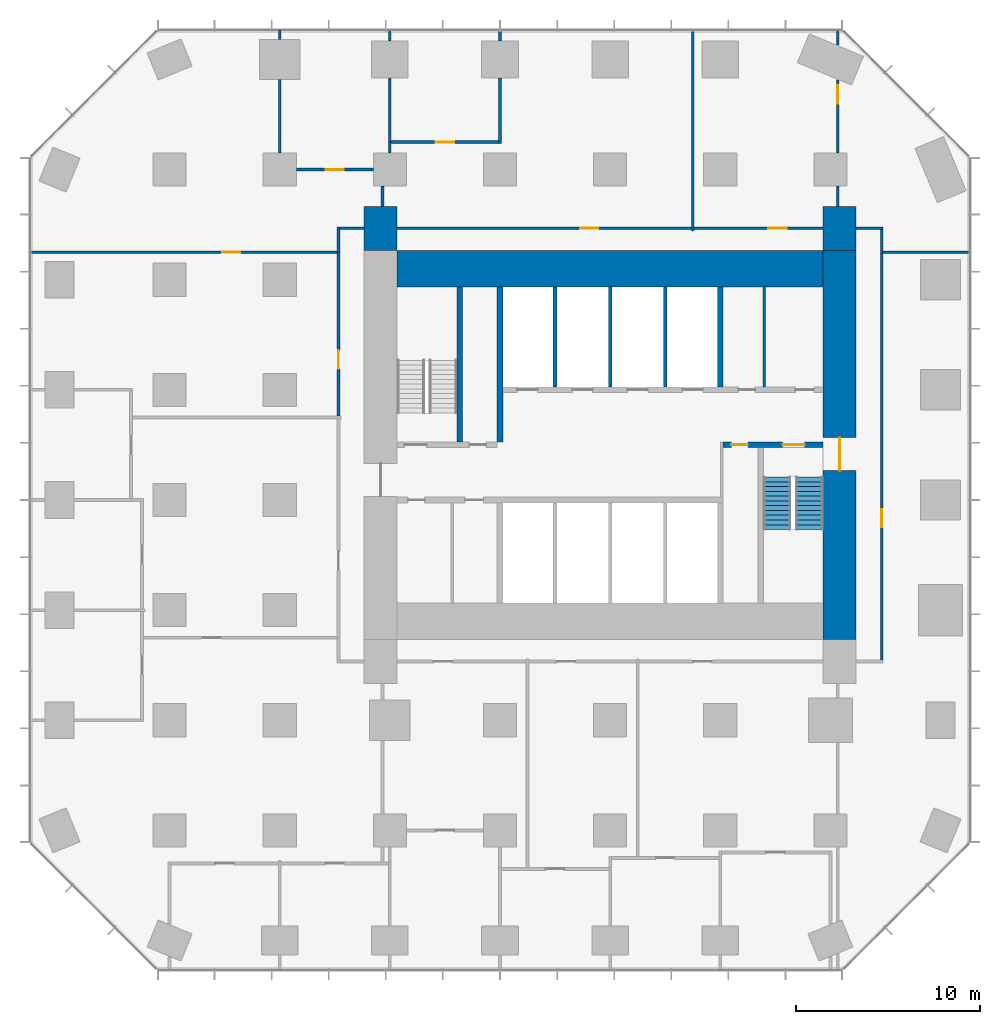
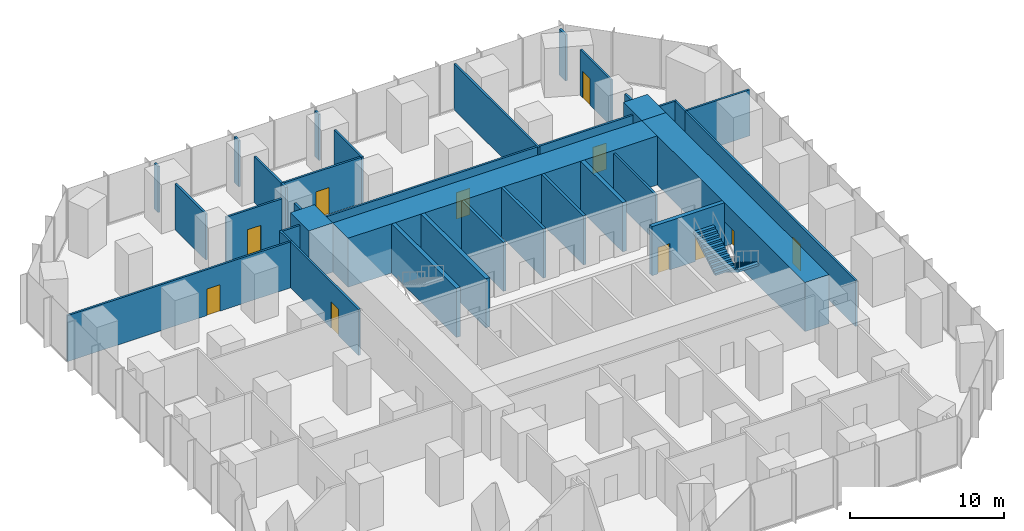
# One storey, part 10 of 12: 36 walls, 11 doors, 2 stair flights, 11 openings, 1 element without a shape of its own.
"""IFC4 building model written with IfcOpenShell, lengths in metres."""

from ifc_helpers import new_model, si_unit, direction, frame, frame_2d, origin, place, context, subcontext, project, spatial, polyline, rectangle, outline, extrude, material, layer, layer_set, type_object, element, fill, aggregate, save


model = new_model("IFC4")

# Units and contexts
model_context = context("Model", 3, precision=1e-05, world=origin(), true_north=direction((0.0, 1.0)))
body_context = subcontext(model_context, "Body", "Model", "MODEL_VIEW")
ifc_project = project(units=[si_unit("LENGTHUNIT", "METRE"), si_unit("AREAUNIT", "SQUARE_METRE"), si_unit("VOLUMEUNIT", "CUBIC_METRE"), si_unit("PLANEANGLEUNIT", "RADIAN"), si_unit("MASSUNIT", "GRAM", prefix="KILO")], contexts=[model_context])

# Site, building, storey
site_placement = place(None, origin())
site = spatial("IfcSite", under=ifc_project, at=site_placement, CompositionType="ELEMENT")
building_placement = place(site_placement, origin())
building = spatial("IfcBuilding", under=site, at=building_placement, Name="Highveld Stack Headquarters", CompositionType="ELEMENT")
storey_placement = place(building_placement, frame((0.0, 0.0, 22.10009765625)))
storey = spatial("IfcBuildingStorey", under=building, at=storey_placement, Name="L04", CompositionType="ELEMENT", Elevation=22.10009765625)

# Wall, opening, door
ifc_material_1 = material(Name="Concrete C60/75", Category="concrete")
ifc_layer_1 = layer(ifc_material_1, 1.800048828125)
ifc_layer_set_1 = layer_set([ifc_layer_1], Name="Concrete C60/75")
wall_type_1 = type_object("IfcWallType", Name="CORE WALL 1800 C60/75", PredefinedType="SHEAR", material=ifc_layer_set_1)
wall_1_placement = place(storey_placement, frame((18.5, -7.60009765625, 0.0), z_axis=(0.0, 0.0, 1.0), x_axis=(0.0, 1.0, 0.0)))
wall_1 = element("IfcWall", 1, at=wall_1_placement, inside=storey, type_object=wall_type_1, Name="Core wall E L04", PredefinedType="SHEAR", context=body_context, shape_type="SweptSolid", body=[
    extrude(rectangle(XDim=21.2001953125, YDim=1.800048828125, at=frame_2d((10.60009765625, 0.0))), origin(), (0.0, 0.0, 1.0), 3.89990234375),
])
opening_1_placement = place(wall_1_placement, frame((9.199951171875, 0.0, 0.0)))
opening_1 = element("IfcOpeningElement", 2, at=opening_1_placement, cuts=wall_1, Name="Opening L04-02", PredefinedType="OPENING", context=body_context, shape_type="SweptSolid", body=[
    extrude(rectangle(XDim=1.800048828125, YDim=2.39990234375, at=frame_2d((0.89990234375, 1.199951171875))), frame((0.0, 0.909912109375, 0.0), z_axis=(0.0, -1.0, 0.0), x_axis=(1.0, 0.0, 0.0)), (0.0, 0.0, 1.0), 1.820068359375),
])
ifc_material_2 = material(Name="Steel fire door", Category="steel")
door_type_1 = type_object("IfcDoorType", Name="LOBBY FIRE DOOR D4 1800x2400", OperationType="DOUBLE_DOOR_SINGLE_SWING", PredefinedType="DOOR", material=ifc_material_2)
door_1_placement = place(opening_1_placement, origin())
door_1 = element("IfcDoor", 3, at=door_1_placement, inside=storey, type_object=door_type_1, Name="Core east door L04", OperationType="DOUBLE_DOOR_SINGLE_SWING", OverallHeight=2.39990234375, OverallWidth=1.800048828125, PredefinedType="DOOR", context=body_context, shape_type="SweptSolid", body=[
    extrude(rectangle(XDim=1.800048828125, YDim=2.39990234375, at=frame_2d((0.89990234375, 1.199951171875))), frame((0.0, 0.02490234375, 0.0), z_axis=(0.0, -1.0, 0.0), x_axis=(1.0, 0.0, 0.0)), (0.0, 0.0, 1.0), 0.050048828125),
])
fill(opening_1, door_1)

# Wall
ifc_material_3 = material(Name="Concrete C60/75", Category="concrete")
ifc_layer_2 = layer(ifc_material_3, 2.0)
ifc_layer_set_2 = layer_set([ifc_layer_2], Name="Concrete C60/75")
wall_type_2 = type_object("IfcWallType", Name="CORE WALL 2000 C60/75", PredefinedType="SHEAR", material=ifc_layer_set_2)
wall_2_placement = place(storey_placement, frame((-5.60009765625, 12.60009765625, 0.0), z_axis=(0.0, 0.0, 1.0), x_axis=(1.0, 0.0, 0.0)))
element("IfcWall", 4, at=wall_2_placement, inside=storey, type_object=wall_type_2, Name="Core wall N L04", PredefinedType="SHEAR", context=body_context, shape_type="SweptSolid", body=[
    extrude(rectangle(XDim=23.2001953125, YDim=2.0, at=frame_2d((11.60009765625, 0.0))), origin(), (0.0, 0.0, 1.0), 3.89990234375),
])

# Wall, openings, doors
ifc_material_4 = material(Name="Concrete C60/75", Category="concrete")
ifc_layer_3 = layer(ifc_material_4, 0.300048828125)
ifc_layer_set_3 = layer_set([ifc_layer_3], Name="Concrete C60/75")
wall_type_3 = type_object("IfcWallType", Name="CORE WALL 300 C60/75", PredefinedType="SHEAR", material=ifc_layer_set_3)
wall_3_placement = place(storey_placement, frame((12.14990234375, 3.0, 0.0), z_axis=(0.0, 0.0, 1.0), x_axis=(1.0, 0.0, 0.0)))
wall_3 = element("IfcWall", 5, at=wall_3_placement, inside=storey, type_object=wall_type_3, Name="Core wall I-Y3E L04", PredefinedType="SHEAR", context=body_context, shape_type="SweptSolid", body=[
    extrude(rectangle(XDim=5.4501953125, YDim=0.300048828125, at=frame_2d((2.72509765625, 0.0))), origin(), (0.0, 0.0, 1.0), 3.89990234375),
])
opening_2_placement = place(wall_3_placement, frame((3.25, 0.0, 0.0)))
opening_2 = element("IfcOpeningElement", 6, at=opening_2_placement, cuts=wall_3, Name="Opening L04-05", PredefinedType="OPENING", context=body_context, shape_type="SweptSolid", body=[
    extrude(rectangle(XDim=1.199951171875, YDim=2.10009765625, at=frame_2d((0.60009765625, 1.050048828125))), frame((0.0, 0.159912109375, 0.0), z_axis=(0.0, -1.0, 0.0), x_axis=(1.0, 0.0, 0.0)), (0.0, 0.0, 1.0), 0.320068359375),
])
opening_3_placement = place(wall_3_placement, frame((0.449951171875, 0.0, 0.0)))
opening_3 = element("IfcOpeningElement", 7, at=opening_3_placement, cuts=wall_3, Name="Opening L04-06", PredefinedType="OPENING", context=body_context, shape_type="SweptSolid", body=[
    extrude(rectangle(XDim=0.89990234375, YDim=2.10009765625, at=frame_2d((0.449951171875, 1.050048828125))), frame((0.0, 0.159912109375, 0.0), z_axis=(0.0, -1.0, 0.0), x_axis=(1.0, 0.0, 0.0)), (0.0, 0.0, 1.0), 0.320068359375),
])
ifc_material_5 = material(Name="Steel fire door", Category="steel")
door_type_2 = type_object("IfcDoorType", Name="RISER ACCESS DOOR D5 900x2100", OperationType="SINGLE_SWING_LEFT", PredefinedType="DOOR", material=ifc_material_5)
door_2_placement = place(opening_3_placement, origin())
door_2 = element("IfcDoor", 8, at=door_2_placement, inside=storey, type_object=door_type_2, Name="Riser R2 door L04", OperationType="SINGLE_SWING_LEFT", OverallHeight=2.10009765625, OverallWidth=0.89990234375, PredefinedType="DOOR", context=body_context, shape_type="SweptSolid", body=[
    extrude(rectangle(XDim=0.89990234375, YDim=2.10009765625, at=frame_2d((0.449951171875, 1.050048828125))), frame((0.0, 0.02490234375, 0.0), z_axis=(0.0, -1.0, 0.0), x_axis=(1.0, 0.0, 0.0)), (0.0, 0.0, 1.0), 0.050048828125),
])
fill(opening_3, door_2)
ifc_material_6 = material(Name="Steel fire door", Category="steel")
door_type_3 = type_object("IfcDoorType", Name="STAIR FIRE DOOR D3 1200x2100", OperationType="SINGLE_SWING_LEFT", PredefinedType="DOOR", material=ifc_material_6)
door_3_placement = place(opening_2_placement, origin())
door_3 = element("IfcDoor", 9, at=door_3_placement, inside=storey, type_object=door_type_3, Name="Stair S2 door L04", OperationType="SINGLE_SWING_RIGHT", OverallHeight=2.10009765625, OverallWidth=1.199951171875, PredefinedType="DOOR", context=body_context, shape_type="SweptSolid", body=[
    extrude(rectangle(XDim=1.199951171875, YDim=2.10009765625, at=frame_2d((0.60009765625, 1.050048828125))), frame((0.0, 0.02490234375, 0.0), z_axis=(0.0, -1.0, 0.0), x_axis=(1.0, 0.0, 0.0)), (0.0, 0.0, 1.0), 0.050048828125),
])
fill(opening_2, door_3)

# Walls
wall_4_placement = place(storey_placement, frame((0.0, 3.14990234375, 0.0), z_axis=(0.0, 0.0, 1.0), x_axis=(0.0, 1.0, 0.0)))
element("IfcWall", 10, at=wall_4_placement, inside=storey, type_object=wall_type_3, Name="Core wall I-X0N L04", PredefinedType="SHEAR", context=body_context, shape_type="SweptSolid", body=[
    extrude(rectangle(XDim=8.4501953125, YDim=0.300048828125, at=frame_2d((4.22509765625, 0.0))), origin(), (0.0, 0.0, 1.0), 3.89990234375),
])
wall_5_placement = place(storey_placement, frame((12.0, 6.14990234375, 0.0), z_axis=(0.0, 0.0, 1.0), x_axis=(0.0, 1.0, 0.0)))
element("IfcWall", 11, at=wall_5_placement, inside=storey, type_object=wall_type_3, Name="Core wall I-X12N L04", PredefinedType="SHEAR", context=body_context, shape_type="SweptSolid", body=[
    extrude(rectangle(XDim=5.4501953125, YDim=0.300048828125, at=frame_2d((2.72509765625, 0.0))), origin(), (0.0, 0.0, 1.0), 3.89990234375),
])
wall_6_placement = place(storey_placement, frame((-2.199951171875, 3.14990234375, 0.0), z_axis=(0.0, 0.0, 1.0), x_axis=(0.0, 1.0, 0.0)))
element("IfcWall", 12, at=wall_6_placement, inside=storey, type_object=wall_type_3, Name="Core wall I-RW L04", PredefinedType="SHEAR", context=body_context, shape_type="SweptSolid", body=[
    extrude(rectangle(XDim=8.4501953125, YDim=0.300048828125, at=frame_2d((4.22509765625, 0.0))), origin(), (0.0, 0.0, 1.0), 3.89990234375),
])
ifc_material_7 = material(Name="Concrete C60/75", Category="concrete")
ifc_layer_4 = layer(ifc_material_7, 1.800048828125)
ifc_layer_set_4 = layer_set([ifc_layer_4], Name="Concrete C60/75")
wall_type_4 = type_object("IfcWallType", Name="CORE WING WALL 1800 C60/75", PredefinedType="SHEAR", material=ifc_layer_set_4)
for number, where, z_axis, x_axis, name in (
    (13, (-6.5, 13.60009765625, 0.0), (0.0, 0.0, 1.0), (0.0, 1.0, 0.0), "Core wing wall WN L04"),
    (14, (18.5, 13.60009765625, 0.0), (0.0, 0.0, 1.0), (0.0, 1.0, 0.0), "Core wing wall EN L04"),
):
    element("IfcWall", number, at=place(storey_placement, frame(where, z_axis=z_axis, x_axis=x_axis)), inside=storey, type_object=wall_type_4, Name=name, PredefinedType="SHEAR", context=body_context, shape_type="SweptSolid", body=[
        extrude(rectangle(XDim=2.39990234375, YDim=1.800048828125, at=frame_2d((1.199951171875, 0.0))), origin(), (0.0, 0.0, 1.0), 3.89990234375),
    ])
ifc_material_8 = material(Name="Concrete blockwork, fair-faced", Category="masonry")
ifc_layer_5 = layer(ifc_material_8, 0.199951171875)
ifc_layer_set_5 = layer_set([ifc_layer_5], Name="Concrete blockwork, fair-faced")
wall_type_5 = type_object("IfcWallType", Name="LIFT SHAFT ENCLOSURE WALL 200 BLOCKWORK", PredefinedType="SOLIDWALL", material=ifc_layer_set_5)
for number, where, z_axis, x_axis, name in (
    (15, (3.0, 6.14990234375, 0.0), (0.0, 0.0, 1.0), (0.0, 1.0, 0.0), "Lift shaft wall L04"),
    (16, (6.0, 6.14990234375, 0.0), (0.0, 0.0, 1.0), (0.0, 1.0, 0.0), "Lift shaft wall L04"),
    (17, (9.0, 6.14990234375, 0.0), (0.0, 0.0, 1.0), (0.0, 1.0, 0.0), "Lift shaft wall L04"),
):
    element("IfcWall", number, at=place(storey_placement, frame(where, z_axis=z_axis, x_axis=x_axis)), inside=storey, type_object=wall_type_5, Name=name, PredefinedType="SOLIDWALL", context=body_context, shape_type="SweptSolid", body=[
        extrude(rectangle(XDim=5.4501953125, YDim=0.199951171875, at=frame_2d((2.72509765625, 0.0))), origin(), (0.0, 0.0, 1.0), 3.89990234375),
    ])

# Wall, opening, door
ifc_material_9 = material(Name="Gypsum plasterboard on steel studs", Category="steel")
ifc_layer_6 = layer(ifc_material_9, 0.14990234375)
ifc_layer_set_6 = layer_set([ifc_layer_6], Name="Gypsum plasterboard on steel studs")
wall_type_6 = type_object("IfcWallType", Name="PARTITION 150 PLASTERBOARD", PredefinedType="PARTITIONING", material=ifc_layer_set_6)
wall_7_placement = place(storey_placement, frame((-11.10009765625, 18.0, 0.0), z_axis=(0.0, 0.0, 1.0), x_axis=(1.0, 0.0, 0.0)))
wall_7 = element("IfcWall", 18, at=wall_7_placement, inside=storey, type_object=wall_type_6, Name="Partition Office L04", PredefinedType="PARTITIONING", context=body_context, shape_type="SweptSolid", body=[
    extrude(rectangle(XDim=4.2001953125, YDim=0.14990234375, at=frame_2d((2.10009765625, 0.0))), origin(), (0.0, 0.0, 1.0), 3.64990234375),
])
opening_4_placement = place(wall_7_placement, frame((1.60009765625, 0.0, 0.0)))
opening_4 = element("IfcOpeningElement", 19, at=opening_4_placement, cuts=wall_7, Name="Opening L04-20", PredefinedType="OPENING", context=body_context, shape_type="SweptSolid", body=[
    extrude(rectangle(XDim=1.0, YDim=2.10009765625, at=frame_2d((0.5, 1.050048828125))), frame((0.0, 0.0849609375, 0.0), z_axis=(0.0, -1.0, 0.0), x_axis=(1.0, 0.0, 0.0)), (0.0, 0.0, 1.0), 0.169921875),
])
ifc_material_10 = material(Name="Timber door, oiled ash", Category="wood")
door_type_4 = type_object("IfcDoorType", Name="ROOM DOOR D6 1000x2100", OperationType="SINGLE_SWING_LEFT", PredefinedType="DOOR", material=ifc_material_10)
door_4_placement = place(opening_4_placement, origin())
door_4 = element("IfcDoor", 20, at=door_4_placement, inside=storey, type_object=door_type_4, Name="Office door 1 L04", OperationType="SINGLE_SWING_RIGHT", OverallHeight=2.10009765625, OverallWidth=1.0, PredefinedType="DOOR", context=body_context, shape_type="SweptSolid", body=[
    extrude(rectangle(XDim=1.0, YDim=2.10009765625, at=frame_2d((0.5, 1.050048828125))), frame((0.0, 0.02490234375, 0.0), z_axis=(0.0, -1.0, 0.0), x_axis=(1.0, 0.0, 0.0)), (0.0, 0.0, 1.0), 0.050048828125),
])
fill(opening_4, door_4)

wall_8_placement = place(storey_placement, frame((-5.925048828125, 19.5, 0.0), z_axis=(0.0, 0.0, 1.0), x_axis=(1.0, 0.0, 0.0)))
wall_8 = element("IfcWall", 21, at=wall_8_placement, inside=storey, type_object=wall_type_6, Name="Partition Quiet room L04", PredefinedType="PARTITIONING", context=body_context, shape_type="SweptSolid", body=[
    extrude(rectangle(XDim=5.85009765625, YDim=0.14990234375, at=frame_2d((2.925048828125, 0.0))), origin(), (0.0, 0.0, 1.0), 3.64990234375),
])
opening_5_placement = place(wall_8_placement, frame((2.425048828125, 0.0, 0.0)))
opening_5 = element("IfcOpeningElement", 22, at=opening_5_placement, cuts=wall_8, Name="Opening L04-21", PredefinedType="OPENING", context=body_context, shape_type="SweptSolid", body=[
    extrude(rectangle(XDim=1.0, YDim=2.10009765625, at=frame_2d((0.5, 1.050048828125))), frame((0.0, 0.0849609375, 0.0), z_axis=(0.0, -1.0, 0.0), x_axis=(1.0, 0.0, 0.0)), (0.0, 0.0, 1.0), 0.169921875),
])
door_5_placement = place(opening_5_placement, origin())
door_5 = element("IfcDoor", 23, at=door_5_placement, inside=storey, type_object=door_type_4, Name="Quiet room door 1 L04", OperationType="SINGLE_SWING_LEFT", OverallHeight=2.10009765625, OverallWidth=1.0, PredefinedType="DOOR", context=body_context, shape_type="SweptSolid", body=[
    extrude(rectangle(XDim=1.0, YDim=2.10009765625, at=frame_2d((0.5, 1.050048828125))), frame((0.0, 0.02490234375, 0.0), z_axis=(0.0, -1.0, 0.0), x_axis=(1.0, 0.0, 0.0)), (0.0, 0.0, 1.0), 0.050048828125),
])
fill(opening_5, door_5)

# Walls
wall_9_placement = place(storey_placement, frame((-12.0, 18.89990234375, 0.0), z_axis=(0.0, 0.0, 1.0), x_axis=(0.0, 1.0, 0.0)))
element("IfcWall", 24, at=wall_9_placement, inside=storey, type_object=wall_type_6, Name="Partition Office L04", PredefinedType="PARTITIONING", context=body_context, shape_type="SweptSolid", body=[
    extrude(rectangle(XDim=4.0, YDim=0.14990234375, at=frame_2d((2.0, 0.0))), origin(), (0.0, 0.0, 1.0), 3.64990234375),
])
wall_10_placement = place(storey_placement, frame((-12.0, 25.10009765625, 0.0), z_axis=(0.0, 0.0, 1.0), x_axis=(0.0, 1.0, 0.0)))
element("IfcWall", 25, at=wall_10_placement, inside=storey, type_object=wall_type_6, Name="Partition Office L04", PredefinedType="PARTITIONING", context=body_context, shape_type="SweptSolid", body=[
    extrude(rectangle(XDim=0.5, YDim=0.14990234375, at=frame_2d((0.25, 0.0))), origin(), (0.0, 0.0, 1.0), 3.64990234375),
])
wall_11_placement = place(storey_placement, frame((-6.0, 18.89990234375, 0.0), z_axis=(0.0, 0.0, 1.0), x_axis=(0.0, 1.0, 0.0)))
element("IfcWall", 26, at=wall_11_placement, inside=storey, type_object=wall_type_6, Name="Partition Office L04", PredefinedType="PARTITIONING", context=body_context, shape_type="SweptSolid", body=[
    extrude(rectangle(XDim=0.60009765625, YDim=0.14990234375, at=frame_2d((0.300048828125, 0.0))), origin(), (0.0, 0.0, 1.0), 3.64990234375),
])
wall_12_placement = place(storey_placement, frame((-6.0, 19.5, 0.0), z_axis=(0.0, 0.0, 1.0), x_axis=(0.0, 1.0, 0.0)))
element("IfcWall", 27, at=wall_12_placement, inside=storey, type_object=wall_type_6, Name="Partition Office / Quiet room L04", PredefinedType="PARTITIONING", context=body_context, shape_type="SweptSolid", body=[
    extrude(rectangle(XDim=3.5, YDim=0.14990234375, at=frame_2d((1.75, 0.0))), origin(), (0.0, 0.0, 1.0), 3.64990234375),
])
wall_13_placement = place(storey_placement, frame((-6.0, 25.0, 0.0), z_axis=(0.0, 0.0, 1.0), x_axis=(0.0, 1.0, 0.0)))
element("IfcWall", 28, at=wall_13_placement, inside=storey, type_object=wall_type_6, Name="Partition Office / Quiet room L04", PredefinedType="PARTITIONING", context=body_context, shape_type="SweptSolid", body=[
    extrude(rectangle(XDim=0.60009765625, YDim=0.14990234375, at=frame_2d((0.300048828125, 0.0))), origin(), (0.0, 0.0, 1.0), 3.64990234375),
])
wall_14_placement = place(storey_placement, frame((0.0, 19.425048828125, 0.0), z_axis=(0.0, 0.0, 1.0), x_axis=(0.0, 1.0, 0.0)))
element("IfcWall", 29, at=wall_14_placement, inside=storey, type_object=wall_type_6, Name="Partition Quiet room L04", PredefinedType="PARTITIONING", context=body_context, shape_type="SweptSolid", body=[
    extrude(rectangle(XDim=3.574951171875, YDim=0.14990234375, at=frame_2d((1.78759765625, 0.0))), origin(), (0.0, 0.0, 1.0), 3.64990234375),
])
wall_15_placement = place(storey_placement, frame((0.0, 25.0, 0.0), z_axis=(0.0, 0.0, 1.0), x_axis=(0.0, 1.0, 0.0)))
element("IfcWall", 30, at=wall_15_placement, inside=storey, type_object=wall_type_6, Name="Partition Quiet room L04", PredefinedType="PARTITIONING", context=body_context, shape_type="SweptSolid", body=[
    extrude(rectangle(XDim=0.550048828125, YDim=0.14990234375, at=frame_2d((0.27490234375, 0.0))), origin(), (0.0, 0.0, 1.0), 3.64990234375),
])

# Wall, opening, door
wall_16_placement = place(storey_placement, frame((-25.60009765625, 13.5, 0.0), z_axis=(0.0, 0.0, 1.0), x_axis=(1.0, 0.0, 0.0)))
wall_16 = element("IfcWall", 31, at=wall_16_placement, inside=storey, type_object=wall_type_6, Name="Partition office neighbourhood L04", PredefinedType="PARTITIONING", context=body_context, shape_type="SweptSolid", body=[
    extrude(rectangle(XDim=16.72509765625, YDim=0.14990234375, at=frame_2d((8.362548828125, 0.0))), origin(), (0.0, 0.0, 1.0), 3.64990234375),
])
opening_6_placement = place(wall_16_placement, frame((10.455078125, 0.0, 0.0)))
opening_6 = element("IfcOpeningElement", 32, at=opening_6_placement, cuts=wall_16, Name="Opening L04-30", PredefinedType="OPENING", context=body_context, shape_type="SweptSolid", body=[
    extrude(rectangle(XDim=1.0, YDim=2.10009765625, at=frame_2d((0.5, 1.050048828125))), frame((0.0, 0.0849609375, 0.0), z_axis=(0.0, -1.0, 0.0), x_axis=(1.0, 0.0, 0.0)), (0.0, 0.0, 1.0), 0.169921875),
])
door_6_placement = place(opening_6_placement, origin())
door_6 = element("IfcDoor", 33, at=door_6_placement, inside=storey, type_object=door_type_4, Name="Office neighbourhood door L04", OperationType="SINGLE_SWING_RIGHT", OverallHeight=2.10009765625, OverallWidth=1.0, PredefinedType="DOOR", context=body_context, shape_type="SweptSolid", body=[
    extrude(rectangle(XDim=1.0, YDim=2.10009765625, at=frame_2d((0.5, 1.050048828125))), frame((0.0, 0.02490234375, 0.0), z_axis=(0.0, -1.0, 0.0), x_axis=(1.0, 0.0, 0.0)), (0.0, 0.0, 1.0), 0.050048828125),
])
fill(opening_6, door_6)

wall_17_placement = place(storey_placement, frame((-8.800048828125, 4.574951171875, 0.0), z_axis=(0.0, 0.0, 1.0), x_axis=(0.0, 1.0, 0.0)))
wall_17 = element("IfcWall", 34, at=wall_17_placement, inside=storey, type_object=wall_type_6, Name="Partition office neighbourhood L04", PredefinedType="PARTITIONING", context=body_context, shape_type="SweptSolid", body=[
    extrude(rectangle(XDim=8.925048828125, YDim=0.14990234375, at=frame_2d((4.46240234375, 0.0))), origin(), (0.0, 0.0, 1.0), 3.64990234375),
])
opening_7_placement = place(wall_17_placement, frame((2.574951171875, 0.0, 0.0)))
opening_7 = element("IfcOpeningElement", 35, at=opening_7_placement, cuts=wall_17, Name="Opening L04-28", PredefinedType="OPENING", context=body_context, shape_type="SweptSolid", body=[
    extrude(rectangle(XDim=1.0, YDim=2.10009765625, at=frame_2d((0.5, 1.050048828125))), frame((0.0, 0.0849609375, 0.0), z_axis=(0.0, -1.0, 0.0), x_axis=(1.0, 0.0, 0.0)), (0.0, 0.0, 1.0), 0.169921875),
])
door_7_placement = place(opening_7_placement, origin())
door_7 = element("IfcDoor", 36, at=door_7_placement, inside=storey, type_object=door_type_4, Name="Office neighbourhood door L04", OperationType="SINGLE_SWING_LEFT", OverallHeight=2.10009765625, OverallWidth=1.0, PredefinedType="DOOR", context=body_context, shape_type="SweptSolid", body=[
    extrude(rectangle(XDim=1.0, YDim=2.10009765625, at=frame_2d((0.5, 1.050048828125))), frame((0.0, 0.02490234375, 0.0), z_axis=(0.0, -1.0, 0.0), x_axis=(1.0, 0.0, 0.0)), (0.0, 0.0, 1.0), 0.050048828125),
])
fill(opening_7, door_7)

# Walls
wall_18_placement = place(storey_placement, frame((-8.800048828125, 13.5, 0.0), z_axis=(0.0, 0.0, 1.0), x_axis=(0.0, 1.0, 0.0)))
element("IfcWall", 37, at=wall_18_placement, inside=storey, type_object=wall_type_6, Name="Partition office neighbourhood L04", PredefinedType="PARTITIONING", context=body_context, shape_type="SweptSolid", body=[
    extrude(rectangle(XDim=1.375, YDim=0.14990234375, at=frame_2d((0.6875, 0.0))), origin(), (0.0, 0.0, 1.0), 3.64990234375),
])
wall_19_placement = place(storey_placement, frame((-8.72509765625, 14.800048828125, 0.0), z_axis=(0.0, 0.0, 1.0), x_axis=(1.0, 0.0, 0.0)))
element("IfcWall", 38, at=wall_19_placement, inside=storey, type_object=wall_type_6, Name="Partition office neighbourhood L04", PredefinedType="PARTITIONING", context=body_context, shape_type="SweptSolid", body=[
    extrude(rectangle(XDim=1.3251953125, YDim=0.14990234375, at=frame_2d((0.66259765625, 0.0))), origin(), (0.0, 0.0, 1.0), 3.64990234375),
])
wall_20_placement = place(storey_placement, frame((-6.39990234375, 16.0, 0.0), z_axis=(0.0, 0.0, 1.0), x_axis=(0.0, 1.0, 0.0)))
element("IfcWall", 39, at=wall_20_placement, inside=storey, type_object=wall_type_6, Name="Partition office neighbourhood L04", PredefinedType="PARTITIONING", context=body_context, shape_type="SweptSolid", body=[
    extrude(rectangle(XDim=1.10009765625, YDim=0.14990234375, at=frame_2d((0.550048828125, 0.0))), origin(), (0.0, 0.0, 1.0), 3.64990234375),
])

# Wall, opening, door
wall_21_placement = place(storey_placement, frame((-5.60009765625, 14.800048828125, 0.0), z_axis=(0.0, 0.0, 1.0), x_axis=(1.0, 0.0, 0.0)))
wall_21 = element("IfcWall", 40, at=wall_21_placement, inside=storey, type_object=wall_type_6, Name="Partition office neighbourhood L04", PredefinedType="PARTITIONING", context=body_context, shape_type="SweptSolid", body=[
    extrude(rectangle(XDim=16.025146484375, YDim=0.14990234375, at=frame_2d((8.0126953125, 0.0))), origin(), (0.0, 0.0, 1.0), 3.64990234375),
])
opening_8_placement = place(wall_21_placement, frame((9.965087890625, 0.0, 0.0)))
opening_8 = element("IfcOpeningElement", 41, at=opening_8_placement, cuts=wall_21, Name="Opening L04-31", PredefinedType="OPENING", context=body_context, shape_type="SweptSolid", body=[
    extrude(rectangle(XDim=1.0, YDim=2.10009765625, at=frame_2d((0.5, 1.050048828125))), frame((0.0, 0.0849609375, 0.0), z_axis=(0.0, -1.0, 0.0), x_axis=(1.0, 0.0, 0.0)), (0.0, 0.0, 1.0), 0.169921875),
])
door_8_placement = place(opening_8_placement, origin())
door_8 = element("IfcDoor", 42, at=door_8_placement, inside=storey, type_object=door_type_4, Name="Office neighbourhood door L04", OperationType="SINGLE_SWING_RIGHT", OverallHeight=2.10009765625, OverallWidth=1.0, PredefinedType="DOOR", context=body_context, shape_type="SweptSolid", body=[
    extrude(rectangle(XDim=1.0, YDim=2.10009765625, at=frame_2d((0.5, 1.050048828125))), frame((0.0, 0.02490234375, 0.0), z_axis=(0.0, -1.0, 0.0), x_axis=(1.0, 0.0, 0.0)), (0.0, 0.0, 1.0), 0.050048828125),
])
fill(opening_8, door_8)

# Wall
wall_22_placement = place(storey_placement, frame((10.5, 14.64990234375, 0.0), z_axis=(0.0, 0.0, 1.0), x_axis=(0.0, 1.0, 0.0)))
element("IfcWall", 43, at=wall_22_placement, inside=storey, type_object=wall_type_6, Name="Partition office neighbourhood L04", PredefinedType="PARTITIONING", context=body_context, shape_type="SweptSolid", body=[
    extrude(rectangle(XDim=10.9501953125, YDim=0.14990234375, at=frame_2d((5.47509765625, 0.0))), origin(), (0.0, 0.0, 1.0), 3.64990234375),
])

# Wall, opening, door
wall_23_placement = place(storey_placement, frame((10.574951171875, 14.800048828125, 0.0), z_axis=(0.0, 0.0, 1.0), x_axis=(1.0, 0.0, 0.0)))
wall_23 = element("IfcWall", 44, at=wall_23_placement, inside=storey, type_object=wall_type_6, Name="Partition office neighbourhood L04", PredefinedType="PARTITIONING", context=body_context, shape_type="SweptSolid", body=[
    extrude(rectangle(XDim=7.025146484375, YDim=0.14990234375, at=frame_2d((3.5126953125, 0.0))), origin(), (0.0, 0.0, 1.0), 3.64990234375),
])
opening_9_placement = place(wall_23_placement, frame((4.0400390625, 0.0, 0.0)))
opening_9 = element("IfcOpeningElement", 45, at=opening_9_placement, cuts=wall_23, Name="Opening L04-32", PredefinedType="OPENING", context=body_context, shape_type="SweptSolid", body=[
    extrude(rectangle(XDim=1.0, YDim=2.10009765625, at=frame_2d((0.5, 1.050048828125))), frame((0.0, 0.0849609375, 0.0), z_axis=(0.0, -1.0, 0.0), x_axis=(1.0, 0.0, 0.0)), (0.0, 0.0, 1.0), 0.169921875),
])
door_9_placement = place(opening_9_placement, origin())
door_9 = element("IfcDoor", 46, at=door_9_placement, inside=storey, type_object=door_type_4, Name="Office neighbourhood door L04", OperationType="SINGLE_SWING_RIGHT", OverallHeight=2.10009765625, OverallWidth=1.0, PredefinedType="DOOR", context=body_context, shape_type="SweptSolid", body=[
    extrude(rectangle(XDim=1.0, YDim=2.10009765625, at=frame_2d((0.5, 1.050048828125))), frame((0.0, 0.02490234375, 0.0), z_axis=(0.0, -1.0, 0.0), x_axis=(1.0, 0.0, 0.0)), (0.0, 0.0, 1.0), 0.050048828125),
])
fill(opening_9, door_9)

# Wall
wall_24_placement = place(storey_placement, frame((18.39990234375, 16.0, 0.0), z_axis=(0.0, 0.0, 1.0), x_axis=(0.0, 1.0, 0.0)))
element("IfcWall", 47, at=wall_24_placement, inside=storey, type_object=wall_type_6, Name="Partition office neighbourhood L04", PredefinedType="PARTITIONING", context=body_context, shape_type="SweptSolid", body=[
    extrude(rectangle(XDim=1.10009765625, YDim=0.14990234375, at=frame_2d((0.550048828125, 0.0))), origin(), (0.0, 0.0, 1.0), 3.64990234375),
])

# Wall, opening, door
wall_25_placement = place(storey_placement, frame((18.39990234375, 18.89990234375, 0.0), z_axis=(0.0, 0.0, 1.0), x_axis=(0.0, 1.0, 0.0)))
wall_25 = element("IfcWall", 48, at=wall_25_placement, inside=storey, type_object=wall_type_6, Name="Partition office neighbourhood L04", PredefinedType="PARTITIONING", context=body_context, shape_type="SweptSolid", body=[
    extrude(rectangle(XDim=3.9833984375, YDim=0.14990234375, at=frame_2d((1.99169921875, 0.0))), origin(), (0.0, 0.0, 1.0), 3.64990234375),
])
opening_10_placement = place(wall_25_placement, frame((2.68310546875, 0.0, 0.0)))
opening_10 = element("IfcOpeningElement", 49, at=opening_10_placement, cuts=wall_25, Name="Opening L04-29", PredefinedType="OPENING", context=body_context, shape_type="SweptSolid", body=[
    extrude(rectangle(XDim=1.0, YDim=2.10009765625, at=frame_2d((0.5, 1.050048828125))), frame((0.0, 0.0849609375, 0.0), z_axis=(0.0, -1.0, 0.0), x_axis=(1.0, 0.0, 0.0)), (0.0, 0.0, 1.0), 0.169921875),
])
door_10_placement = place(opening_10_placement, origin())
door_10 = element("IfcDoor", 50, at=door_10_placement, inside=storey, type_object=door_type_4, Name="Office neighbourhood door L04", OperationType="SINGLE_SWING_RIGHT", OverallHeight=2.10009765625, OverallWidth=1.0, PredefinedType="DOOR", context=body_context, shape_type="SweptSolid", body=[
    extrude(rectangle(XDim=1.0, YDim=2.10009765625, at=frame_2d((0.5, 1.050048828125))), frame((0.0, 0.02490234375, 0.0), z_axis=(0.0, -1.0, 0.0), x_axis=(1.0, 0.0, 0.0)), (0.0, 0.0, 1.0), 0.050048828125),
])
fill(opening_10, door_10)

# Walls
wall_26_placement = place(storey_placement, frame((18.39990234375, 24.785400390625, 0.0), z_axis=(0.0, 0.0, 1.0), x_axis=(0.0, 1.0, 0.0)))
element("IfcWall", 51, at=wall_26_placement, inside=storey, type_object=wall_type_6, Name="Partition office neighbourhood L04", PredefinedType="PARTITIONING", context=body_context, shape_type="SweptSolid", body=[
    extrude(rectangle(XDim=0.814697265625, YDim=0.14990234375, at=frame_2d((0.4072265625, 0.0))), origin(), (0.0, 0.0, 1.0), 3.64990234375),
])
wall_27_placement = place(storey_placement, frame((19.39990234375, 14.800048828125, 0.0), z_axis=(0.0, 0.0, 1.0), x_axis=(1.0, 0.0, 0.0)))
element("IfcWall", 52, at=wall_27_placement, inside=storey, type_object=wall_type_6, Name="Partition office neighbourhood L04", PredefinedType="PARTITIONING", context=body_context, shape_type="SweptSolid", body=[
    extrude(rectangle(XDim=1.47509765625, YDim=0.14990234375, at=frame_2d((0.737548828125, 0.0))), origin(), (0.0, 0.0, 1.0), 3.64990234375),
])

# Wall, opening, door
wall_28_placement = place(storey_placement, frame((20.800048828125, -8.72509765625, 0.0), z_axis=(0.0, 0.0, 1.0), x_axis=(0.0, 1.0, 0.0)))
wall_28 = element("IfcWall", 53, at=wall_28_placement, inside=storey, type_object=wall_type_6, Name="Partition office neighbourhood L04", PredefinedType="PARTITIONING", context=body_context, shape_type="SweptSolid", body=[
    extrude(rectangle(XDim=22.150146484375, YDim=0.14990234375, at=frame_2d((11.0751953125, 0.0))), origin(), (0.0, 0.0, 1.0), 3.64990234375),
])
opening_11_placement = place(wall_28_placement, frame((7.22998046875, 0.0, 0.0)))
opening_11 = element("IfcOpeningElement", 54, at=opening_11_placement, cuts=wall_28, Name="Opening L04-26", PredefinedType="OPENING", context=body_context, shape_type="SweptSolid", body=[
    extrude(rectangle(XDim=1.0, YDim=2.10009765625, at=frame_2d((0.5, 1.050048828125))), frame((0.0, 0.0849609375, 0.0), z_axis=(0.0, -1.0, 0.0), x_axis=(1.0, 0.0, 0.0)), (0.0, 0.0, 1.0), 0.169921875),
])
door_11_placement = place(opening_11_placement, origin())
door_11 = element("IfcDoor", 55, at=door_11_placement, inside=storey, type_object=door_type_4, Name="Office neighbourhood door L04", OperationType="SINGLE_SWING_LEFT", OverallHeight=2.10009765625, OverallWidth=1.0, PredefinedType="DOOR", context=body_context, shape_type="SweptSolid", body=[
    extrude(rectangle(XDim=1.0, YDim=2.10009765625, at=frame_2d((0.5, 1.050048828125))), frame((0.0, 0.02490234375, 0.0), z_axis=(0.0, -1.0, 0.0), x_axis=(1.0, 0.0, 0.0)), (0.0, 0.0, 1.0), 0.050048828125),
])
fill(opening_11, door_11)

# Walls
wall_29_placement = place(storey_placement, frame((20.800048828125, 13.425048828125, 0.0), z_axis=(0.0, 0.0, 1.0), x_axis=(0.0, 1.0, 0.0)))
element("IfcWall", 56, at=wall_29_placement, inside=storey, type_object=wall_type_6, Name="Partition office neighbourhood L04", PredefinedType="PARTITIONING", context=body_context, shape_type="SweptSolid", body=[
    extrude(rectangle(XDim=1.300048828125, YDim=0.14990234375, at=frame_2d((0.64990234375, 0.0))), origin(), (0.0, 0.0, 1.0), 3.64990234375),
])
wall_30_placement = place(storey_placement, frame((20.800048828125, 13.5, 0.0), z_axis=(0.0, 0.0, 1.0), x_axis=(1.0, 0.0, 0.0)))
element("IfcWall", 57, at=wall_30_placement, inside=storey, type_object=wall_type_6, Name="Partition office neighbourhood L04", PredefinedType="PARTITIONING", context=body_context, shape_type="SweptSolid", body=[
    extrude(rectangle(XDim=4.800048828125, YDim=0.14990234375, at=frame_2d((2.39990234375, 0.0))), origin(), (0.0, 0.0, 1.0), 3.64990234375),
])
ifc_material_11 = material(Name="Concrete blockwork, tiled", Category="masonry")
ifc_layer_7 = layer(ifc_material_11, 0.14990234375)
ifc_layer_set_7 = layer_set([ifc_layer_7], Name="Concrete blockwork, tiled")
wall_type_7 = type_object("IfcWallType", Name="WC PARTITION 150", PredefinedType="PLUMBINGWALL", material=ifc_layer_set_7)
wall_31_placement = place(storey_placement, frame((14.39990234375, 6.14990234375, 0.0), z_axis=(0.0, 0.0, 1.0), x_axis=(0.0, 1.0, 0.0)))
element("IfcWall", 58, at=wall_31_placement, inside=storey, type_object=wall_type_7, Name="Toilet partition L04", PredefinedType="PLUMBINGWALL", context=body_context, shape_type="SweptSolid", body=[
    extrude(rectangle(XDim=5.4501953125, YDim=0.14990234375, at=frame_2d((2.72509765625, 0.0))), origin(), (0.0, 0.0, 1.0), 3.64990234375),
])

# Stair, stair flights
ifc_material_12 = material(Name="Concrete C40/50, precast", Category="concrete")
stair_type = type_object("IfcStairType", Name="STAIR S2 HALF TURN 1500", PredefinedType="HALF_TURN_STAIR", material=ifc_material_12)
stair_placement = place(storey_placement, origin())
stair = element("IfcStair", 59, at=stair_placement, inside=storey, type_object=stair_type, Name="Stair S2 L04", PredefinedType="HALF_TURN_STAIR")
ifc_material_13 = material(Name="Concrete C40/50, precast", Category="concrete")
stair_flight_type = type_object("IfcStairFlightType", Name="STAIR FLIGHT 1500 PRECAST", PredefinedType="STRAIGHT", material=ifc_material_13)
stair_flight_1_placement = place(storey_placement, frame((16.85009765625, 1.25, 0.0), z_axis=(0.0, 0.0, 1.0), x_axis=(0.0, -1.0, 0.0)))
stair_flight_1 = element("IfcStairFlight", 60, at=stair_flight_1_placement, type_object=stair_flight_type, Name="S2 flight 1", NumberOfRisers=12, NumberOfTreads=11, PredefinedType="STRAIGHT", RiserHeight=0.1625, TreadLength=0.26, context=body_context, shape_type="SweptSolid", body=[
    extrude(outline(polyline([(0.0, 0.0), (0.0, 0.16259765625), (0.260009765625, 0.16259765625), (0.260009765625, 0.324951171875), (0.52001953125, 0.324951171875), (0.52001953125, 0.487548828125), (0.780029296875, 0.487548828125), (0.780029296875, 0.64990234375), (1.0400390625, 0.64990234375), (1.0400390625, 0.8125), (1.300048828125, 0.8125), (1.300048828125, 0.97509765625), (1.56005859375, 0.97509765625), (1.56005859375, 1.137451171875), (1.820068359375, 1.137451171875), (1.820068359375, 1.300048828125), (2.080078125, 1.300048828125), (2.080078125, 1.46240234375), (2.340087890625, 1.46240234375), (2.340087890625, 1.625), (2.60009765625, 1.625), (2.60009765625, 1.78759765625), (2.860107421875, 1.78759765625), (2.860107421875, 1.949951171875), (2.860107421875, 1.61083984375), (0.28271484375, 0.0), (0.0, 0.0)])), frame((0.0, 0.75, 0.0), z_axis=(0.0, -1.0, 0.0), x_axis=(1.0, 0.0, 0.0)), (0.0, 0.0, 1.0), 1.5),
])
stair_flight_2_placement = place(storey_placement, frame((15.10009765625, -1.610107421875, 1.949951171875), z_axis=(0.0, 0.0, 1.0), x_axis=(0.0, 1.0, 0.0)))
stair_flight_2 = element("IfcStairFlight", 61, at=stair_flight_2_placement, type_object=stair_flight_type, Name="S2 flight 2", NumberOfRisers=12, NumberOfTreads=11, PredefinedType="STRAIGHT", RiserHeight=0.1625, TreadLength=0.26, context=body_context, shape_type="SweptSolid", body=[
    extrude(outline(polyline([(0.0, 0.0), (0.0, 0.16259765625), (0.260009765625, 0.16259765625), (0.260009765625, 0.324951171875), (0.52001953125, 0.324951171875), (0.52001953125, 0.487548828125), (0.780029296875, 0.487548828125), (0.780029296875, 0.64990234375), (1.0400390625, 0.64990234375), (1.0400390625, 0.8125), (1.300048828125, 0.8125), (1.300048828125, 0.97509765625), (1.56005859375, 0.97509765625), (1.56005859375, 1.137451171875), (1.820068359375, 1.137451171875), (1.820068359375, 1.300048828125), (2.080078125, 1.300048828125), (2.080078125, 1.46240234375), (2.340087890625, 1.46240234375), (2.340087890625, 1.625), (2.60009765625, 1.625), (2.60009765625, 1.78759765625), (2.860107421875, 1.78759765625), (2.860107421875, 1.949951171875), (2.860107421875, 1.61083984375), (0.28271484375, 0.0), (0.0, 0.0)])), frame((0.0, 0.75, 0.0), z_axis=(0.0, -1.0, 0.0), x_axis=(1.0, 0.0, 0.0)), (0.0, 0.0, 1.0), 1.5),
])
aggregate(stair, [stair_flight_1, stair_flight_2])

save(model, "model.ifc")
